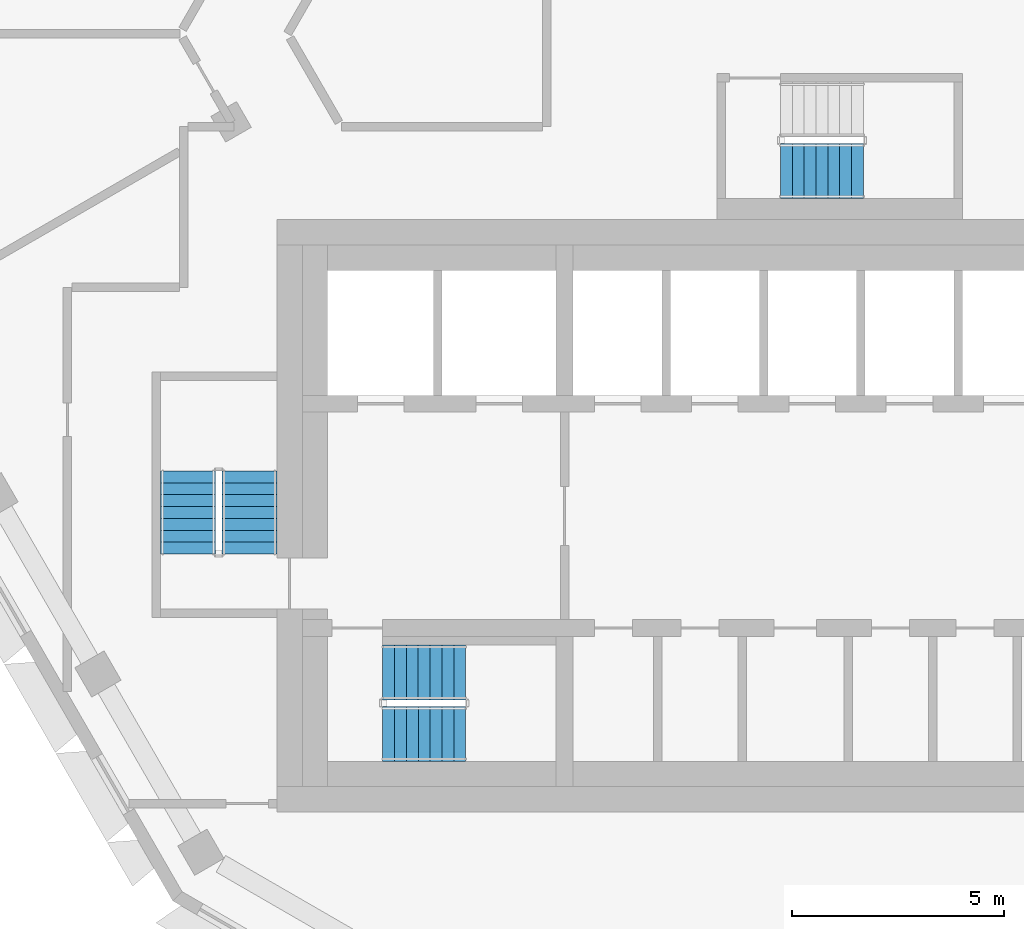
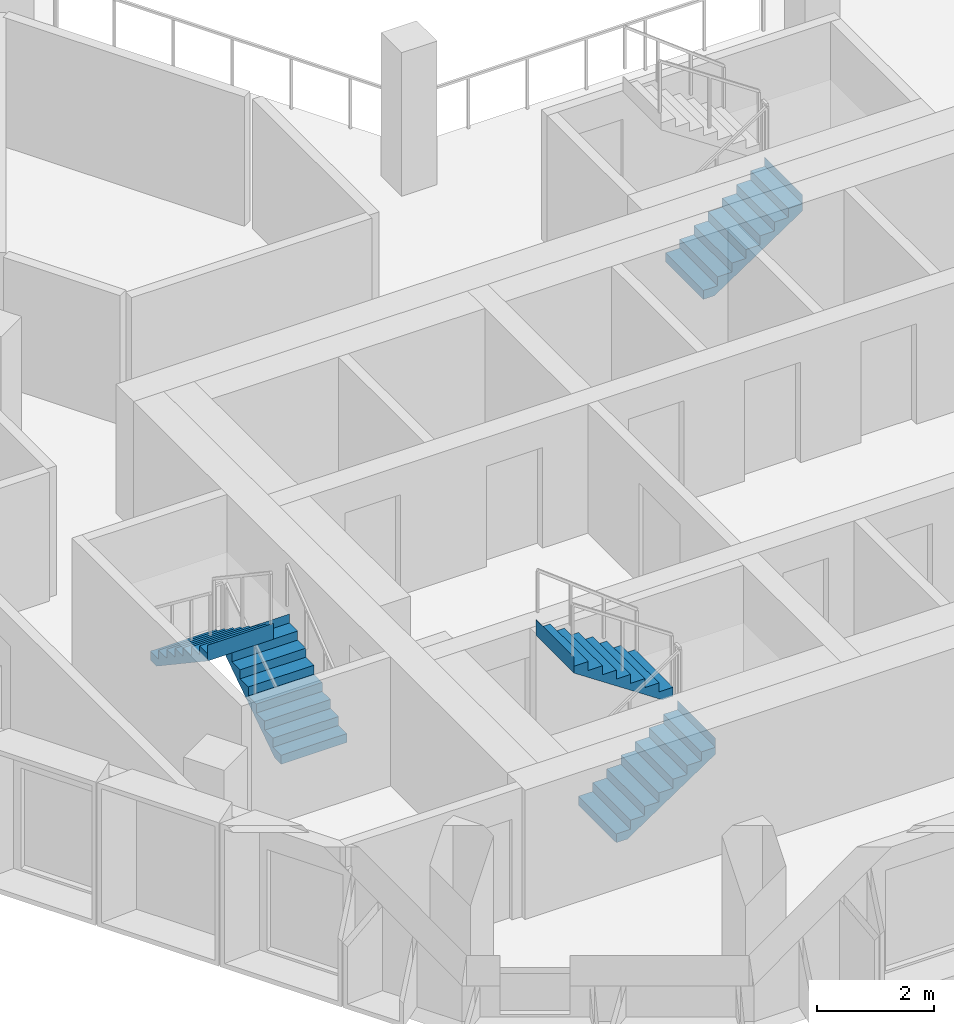
# One storey, part 9 of 15: 5 stair flights, 3 elements without a shape of their own.
"""IFC4 building model written with IfcOpenShell, lengths in metres."""

from ifc_helpers import new_model, si_unit, direction, frame, origin, place, context, subcontext, project, spatial, triangles, material, type_object, element, aggregate, save


model = new_model("IFC4")

# Units and contexts
model_context = context("Model", 3, precision=1e-05, world=origin(), true_north=direction((0.0, 1.0)))
body_context = subcontext(model_context, "Body", "Model", "MODEL_VIEW")
ifc_project = project(units=[si_unit("LENGTHUNIT", "METRE"), si_unit("AREAUNIT", "SQUARE_METRE"), si_unit("VOLUMEUNIT", "CUBIC_METRE"), si_unit("PLANEANGLEUNIT", "RADIAN"), si_unit("MASSUNIT", "GRAM", prefix="KILO")], contexts=[model_context])

# Site, building, storey
site_placement = place(None, origin())
site = spatial("IfcSite", under=ifc_project, at=site_placement, CompositionType="ELEMENT")
building_placement = place(site_placement, origin())
building = spatial("IfcBuilding", under=site, at=building_placement, Name="Beryl Residences", CompositionType="ELEMENT")
storey_placement = place(building_placement, frame((0.0, 0.0, 169.199951171875)))
storey = spatial("IfcBuildingStorey", under=building, at=storey_placement, Name="L51", CompositionType="ELEMENT", Elevation=169.199951171875)

# Stair, stair flights
ifc_material_1 = material(Name="Concrete C40/50", Category="concrete")
stair_type = type_object("IfcStairType", Name="ST1 protected exit stair, half-turn, 1300 mm flights", PredefinedType="HALF_TURN_STAIR", material=ifc_material_1)
stair_1_placement = place(storey_placement, origin())
stair_1 = element("IfcStair", 1, at=stair_1_placement, inside=storey, type_object=stair_type, Name="L51 PROTECTED EXIT STAIR ST-1", PredefinedType="HALF_TURN_STAIR")
ifc_material_2 = material(Name="Concrete C40/50", Category="concrete")
stair_flight_type = type_object("IfcStairFlightType", Name="SF1 stair flight 1300 mm", PredefinedType="STRAIGHT", material=ifc_material_2)
stair_flight_1_placement = place(storey_placement, frame((-10.800048828125, -17.14990234375, 0.0), z_axis=(0.0, 0.0, 1.0), x_axis=(1.0, 0.0, 0.0)))
stair_flight_1 = element("IfcStairFlight", 2, at=stair_flight_1_placement, type_object=stair_flight_type, Name="ST-1 flight 1", NumberOfRisers=8, NumberOfTreads=7, PredefinedType="STRAIGHT", RiserHeight=0.1875, TreadLength=0.28, context=body_context, shape_type="Tessellation", body=[
    triangles([(0.0, -0.64990234375, 0.0), (0.0, -0.324951171875, 0.0), (0.0, 0.0, 0.0), (0.0, 0.324951171875, 0.0), (0.0, 0.64990234375, 0.0), (0.0, -0.64990234375, 0.1875), (0.0, -0.324951171875, 0.1875), (0.0, 0.0, 0.1875), (0.0, 0.324951171875, 0.1875), (0.0, 0.64990234375, 0.1875), (0.280029296875, -0.64990234375, 0.1875), (0.280029296875, -0.324951171875, 0.1875), (0.280029296875, 0.0, 0.1875), (0.280029296875, 0.324951171875, 0.1875), (0.280029296875, 0.64990234375, 0.1875), (0.280029296875, -0.64990234375, 0.375), (0.280029296875, -0.324951171875, 0.375), (0.280029296875, 0.0, 0.375), (0.280029296875, 0.324951171875, 0.375), (0.280029296875, 0.64990234375, 0.375), (0.56005859375, -0.64990234375, 0.375), (0.56005859375, -0.324951171875, 0.375), (0.56005859375, 0.0, 0.375), (0.56005859375, 0.324951171875, 0.375), (0.56005859375, 0.64990234375, 0.375), (0.56005859375, -0.64990234375, 0.5625), (0.56005859375, -0.324951171875, 0.5625), (0.56005859375, 0.0, 0.5625), (0.56005859375, 0.324951171875, 0.5625), (0.56005859375, 0.64990234375, 0.5625), (0.840087890625, -0.64990234375, 0.5625), (0.840087890625, -0.324951171875, 0.5625), (0.840087890625, 0.0, 0.5625), (0.840087890625, 0.324951171875, 0.5625), (0.840087890625, 0.64990234375, 0.5625), (0.840087890625, -0.64990234375, 0.75), (0.840087890625, -0.324951171875, 0.75), (0.840087890625, 0.0, 0.75), (0.840087890625, 0.324951171875, 0.75), (0.840087890625, 0.64990234375, 0.75), (1.1201171875, -0.64990234375, 0.75), (1.1201171875, -0.324951171875, 0.75), (1.1201171875, 0.0, 0.75), (1.1201171875, 0.324951171875, 0.75), (1.1201171875, 0.64990234375, 0.75), (1.1201171875, -0.64990234375, 0.9375), (1.1201171875, -0.324951171875, 0.9375), (1.1201171875, 0.0, 0.9375), (1.1201171875, 0.324951171875, 0.9375), (1.1201171875, 0.64990234375, 0.9375), (1.39990234375, -0.64990234375, 0.9375), (1.39990234375, -0.324951171875, 0.9375), (1.39990234375, 0.0, 0.9375), (1.39990234375, 0.324951171875, 0.9375), (1.39990234375, 0.64990234375, 0.9375), (1.39990234375, -0.64990234375, 1.125), (1.39990234375, -0.324951171875, 1.125), (1.39990234375, 0.0, 1.125), (1.39990234375, 0.324951171875, 1.125), (1.39990234375, 0.64990234375, 1.125), (1.679931640625, -0.64990234375, 1.125), (1.679931640625, -0.324951171875, 1.125), (1.679931640625, 0.0, 1.125), (1.679931640625, 0.324951171875, 1.125), (1.679931640625, 0.64990234375, 1.125), (1.679931640625, -0.64990234375, 1.3125), (1.679931640625, -0.324951171875, 1.3125), (1.679931640625, 0.0, 1.3125), (1.679931640625, 0.324951171875, 1.3125), (1.679931640625, 0.64990234375, 1.3125), (1.9599609375, -0.64990234375, 1.3125), (1.9599609375, -0.324951171875, 1.3125), (1.9599609375, 0.0, 1.3125), (1.9599609375, 0.324951171875, 1.3125), (1.9599609375, 0.64990234375, 1.3125), (1.9599609375, -0.64990234375, 1.5), (1.9599609375, -0.324951171875, 1.5), (1.9599609375, 0.0, 1.5), (1.9599609375, 0.324951171875, 1.5), (1.9599609375, 0.64990234375, 1.5), (1.9609375, -0.64990234375, 1.5), (1.9609375, -0.324951171875, 1.5), (1.9609375, 0.0, 1.5), (1.9609375, 0.324951171875, 1.5), (1.9609375, 0.64990234375, 1.5), (1.9609375, -0.64990234375, 1.16796875), (1.9609375, -0.324951171875, 1.16796875), (1.9609375, 0.0, 1.16796875), (1.9609375, 0.324951171875, 1.16796875), (1.9609375, 0.64990234375, 1.16796875), (0.216796875, -0.64990234375, 0.0), (0.216796875, -0.324951171875, 0.0), (0.216796875, 0.0, 0.0), (0.216796875, 0.324951171875, 0.0), (0.216796875, 0.64990234375, 0.0)], [[1, 6, 7], [1, 7, 2], [2, 7, 8], [2, 8, 3], [3, 8, 9], [3, 9, 4], [4, 9, 10], [4, 10, 5], [6, 11, 12], [6, 12, 7], [7, 12, 13], [7, 13, 8], [8, 13, 14], [8, 14, 9], [9, 14, 15], [9, 15, 10], [11, 16, 17], [11, 17, 12], [12, 17, 18], [12, 18, 13], [13, 18, 19], [13, 19, 14], [14, 19, 20], [14, 20, 15], [16, 21, 22], [16, 22, 17], [17, 22, 23], [17, 23, 18], [18, 23, 24], [18, 24, 19], [19, 24, 25], [19, 25, 20], [21, 26, 27], [21, 27, 22], [22, 27, 28], [22, 28, 23], [23, 28, 29], [23, 29, 24], [24, 29, 30], [24, 30, 25], [26, 31, 32], [26, 32, 27], [27, 32, 33], [27, 33, 28], [28, 33, 34], [28, 34, 29], [29, 34, 35], [29, 35, 30], [31, 36, 37], [31, 37, 32], [32, 37, 38], [32, 38, 33], [33, 38, 39], [33, 39, 34], [34, 39, 40], [34, 40, 35], [36, 41, 42], [36, 42, 37], [37, 42, 43], [37, 43, 38], [38, 43, 44], [38, 44, 39], [39, 44, 45], [39, 45, 40], [41, 46, 47], [41, 47, 42], [42, 47, 48], [42, 48, 43], [43, 48, 49], [43, 49, 44], [44, 49, 50], [44, 50, 45], [46, 51, 52], [46, 52, 47], [47, 52, 53], [47, 53, 48], [48, 53, 54], [48, 54, 49], [49, 54, 55], [49, 55, 50], [51, 56, 57], [51, 57, 52], [52, 57, 58], [52, 58, 53], [53, 58, 59], [53, 59, 54], [54, 59, 60], [54, 60, 55], [56, 61, 62], [56, 62, 57], [57, 62, 63], [57, 63, 58], [58, 63, 64], [58, 64, 59], [59, 64, 65], [59, 65, 60], [61, 66, 67], [61, 67, 62], [62, 67, 68], [62, 68, 63], [63, 68, 69], [63, 69, 64], [64, 69, 70], [64, 70, 65], [66, 71, 72], [66, 72, 67], [67, 72, 73], [67, 73, 68], [68, 73, 74], [68, 74, 69], [69, 74, 75], [69, 75, 70], [71, 76, 77], [71, 77, 72], [72, 77, 78], [72, 78, 73], [73, 78, 79], [73, 79, 74], [74, 79, 80], [74, 80, 75], [76, 81, 82], [76, 82, 77], [77, 82, 83], [77, 83, 78], [78, 83, 84], [78, 84, 79], [79, 84, 85], [79, 85, 80], [81, 86, 87], [81, 87, 82], [82, 87, 88], [82, 88, 83], [83, 88, 89], [83, 89, 84], [84, 89, 90], [84, 90, 85], [86, 91, 92], [86, 92, 87], [87, 92, 93], [87, 93, 88], [88, 93, 94], [88, 94, 89], [89, 94, 95], [89, 95, 90], [91, 1, 2], [91, 2, 92], [92, 2, 3], [92, 3, 93], [93, 3, 4], [93, 4, 94], [94, 4, 5], [94, 5, 95], [1, 91, 86], [5, 90, 95], [86, 81, 76], [90, 80, 85], [86, 76, 71], [90, 75, 80], [86, 71, 66], [90, 70, 75], [86, 66, 61], [90, 65, 70], [61, 56, 51], [65, 55, 60], [86, 61, 51], [90, 55, 65], [51, 46, 41], [55, 45, 50], [86, 51, 41], [90, 45, 55], [41, 36, 31], [45, 35, 40], [86, 41, 31], [90, 35, 45], [31, 26, 21], [35, 25, 30], [86, 31, 21], [90, 25, 35], [21, 16, 11], [25, 15, 20], [86, 21, 11], [90, 15, 25], [1, 86, 11], [5, 15, 90], [11, 6, 1], [15, 5, 10]], closed=True),
])
stair_flight_2_placement = place(storey_placement, frame((-8.840087890625, -15.699951171875, 1.5), z_axis=(0.0, 0.0, 1.0), x_axis=(-1.0, 0.0, 0.0)))
stair_flight_2 = element("IfcStairFlight", 3, at=stair_flight_2_placement, type_object=stair_flight_type, Name="ST-1 flight 2", NumberOfRisers=8, NumberOfTreads=7, PredefinedType="STRAIGHT", RiserHeight=0.1875, TreadLength=0.28, context=body_context, shape_type="Tessellation", body=[
    triangles([(0.0, -0.64990234375, 0.0), (0.0, -0.324951171875, 0.0), (0.0, 0.0, 0.0), (0.0, 0.324951171875, 0.0), (0.0, 0.64990234375, 0.0), (0.0, -0.64990234375, 0.1875), (0.0, -0.324951171875, 0.1875), (0.0, 0.0, 0.1875), (0.0, 0.324951171875, 0.1875), (0.0, 0.64990234375, 0.1875), (0.280029296875, -0.64990234375, 0.1875), (0.280029296875, -0.324951171875, 0.1875), (0.280029296875, 0.0, 0.1875), (0.280029296875, 0.324951171875, 0.1875), (0.280029296875, 0.64990234375, 0.1875), (0.280029296875, -0.64990234375, 0.375), (0.280029296875, -0.324951171875, 0.375), (0.280029296875, 0.0, 0.375), (0.280029296875, 0.324951171875, 0.375), (0.280029296875, 0.64990234375, 0.375), (0.56005859375, -0.64990234375, 0.375), (0.56005859375, -0.324951171875, 0.375), (0.56005859375, 0.0, 0.375), (0.56005859375, 0.324951171875, 0.375), (0.56005859375, 0.64990234375, 0.375), (0.56005859375, -0.64990234375, 0.5625), (0.56005859375, -0.324951171875, 0.5625), (0.56005859375, 0.0, 0.5625), (0.56005859375, 0.324951171875, 0.5625), (0.56005859375, 0.64990234375, 0.5625), (0.840087890625, -0.64990234375, 0.5625), (0.840087890625, -0.324951171875, 0.5625), (0.840087890625, 0.0, 0.5625), (0.840087890625, 0.324951171875, 0.5625), (0.840087890625, 0.64990234375, 0.5625), (0.840087890625, -0.64990234375, 0.75), (0.840087890625, -0.324951171875, 0.75), (0.840087890625, 0.0, 0.75), (0.840087890625, 0.324951171875, 0.75), (0.840087890625, 0.64990234375, 0.75), (1.1201171875, -0.64990234375, 0.75), (1.1201171875, -0.324951171875, 0.75), (1.1201171875, 0.0, 0.75), (1.1201171875, 0.324951171875, 0.75), (1.1201171875, 0.64990234375, 0.75), (1.1201171875, -0.64990234375, 0.9375), (1.1201171875, -0.324951171875, 0.9375), (1.1201171875, 0.0, 0.9375), (1.1201171875, 0.324951171875, 0.9375), (1.1201171875, 0.64990234375, 0.9375), (1.39990234375, -0.64990234375, 0.9375), (1.39990234375, -0.324951171875, 0.9375), (1.39990234375, 0.0, 0.9375), (1.39990234375, 0.324951171875, 0.9375), (1.39990234375, 0.64990234375, 0.9375), (1.39990234375, -0.64990234375, 1.125), (1.39990234375, -0.324951171875, 1.125), (1.39990234375, 0.0, 1.125), (1.39990234375, 0.324951171875, 1.125), (1.39990234375, 0.64990234375, 1.125), (1.679931640625, -0.64990234375, 1.125), (1.679931640625, -0.324951171875, 1.125), (1.679931640625, 0.0, 1.125), (1.679931640625, 0.324951171875, 1.125), (1.679931640625, 0.64990234375, 1.125), (1.679931640625, -0.64990234375, 1.3125), (1.679931640625, -0.324951171875, 1.3125), (1.679931640625, 0.0, 1.3125), (1.679931640625, 0.324951171875, 1.3125), (1.679931640625, 0.64990234375, 1.3125), (1.9599609375, -0.64990234375, 1.3125), (1.9599609375, -0.324951171875, 1.3125), (1.9599609375, 0.0, 1.3125), (1.9599609375, 0.324951171875, 1.3125), (1.9599609375, 0.64990234375, 1.3125), (1.9599609375, -0.64990234375, 1.5), (1.9599609375, -0.324951171875, 1.5), (1.9599609375, 0.0, 1.5), (1.9599609375, 0.324951171875, 1.5), (1.9599609375, 0.64990234375, 1.5), (1.9609375, -0.64990234375, 1.5), (1.9609375, -0.324951171875, 1.5), (1.9609375, 0.0, 1.5), (1.9609375, 0.324951171875, 1.5), (1.9609375, 0.64990234375, 1.5), (1.9609375, -0.64990234375, 1.16796875), (1.9609375, -0.324951171875, 1.16796875), (1.9609375, 0.0, 1.16796875), (1.9609375, 0.324951171875, 1.16796875), (1.9609375, 0.64990234375, 1.16796875), (0.216796875, -0.64990234375, 0.0), (0.216796875, -0.324951171875, 0.0), (0.216796875, 0.0, 0.0), (0.216796875, 0.324951171875, 0.0), (0.216796875, 0.64990234375, 0.0)], [[1, 6, 7], [1, 7, 2], [2, 7, 8], [2, 8, 3], [3, 8, 9], [3, 9, 4], [4, 9, 10], [4, 10, 5], [6, 11, 12], [6, 12, 7], [7, 12, 13], [7, 13, 8], [8, 13, 14], [8, 14, 9], [9, 14, 15], [9, 15, 10], [11, 16, 17], [11, 17, 12], [12, 17, 18], [12, 18, 13], [13, 18, 19], [13, 19, 14], [14, 19, 20], [14, 20, 15], [16, 21, 22], [16, 22, 17], [17, 22, 23], [17, 23, 18], [18, 23, 24], [18, 24, 19], [19, 24, 25], [19, 25, 20], [21, 26, 27], [21, 27, 22], [22, 27, 28], [22, 28, 23], [23, 28, 29], [23, 29, 24], [24, 29, 30], [24, 30, 25], [26, 31, 32], [26, 32, 27], [27, 32, 33], [27, 33, 28], [28, 33, 34], [28, 34, 29], [29, 34, 35], [29, 35, 30], [31, 36, 37], [31, 37, 32], [32, 37, 38], [32, 38, 33], [33, 38, 39], [33, 39, 34], [34, 39, 40], [34, 40, 35], [36, 41, 42], [36, 42, 37], [37, 42, 43], [37, 43, 38], [38, 43, 44], [38, 44, 39], [39, 44, 45], [39, 45, 40], [41, 46, 47], [41, 47, 42], [42, 47, 48], [42, 48, 43], [43, 48, 49], [43, 49, 44], [44, 49, 50], [44, 50, 45], [46, 51, 52], [46, 52, 47], [47, 52, 53], [47, 53, 48], [48, 53, 54], [48, 54, 49], [49, 54, 55], [49, 55, 50], [51, 56, 57], [51, 57, 52], [52, 57, 58], [52, 58, 53], [53, 58, 59], [53, 59, 54], [54, 59, 60], [54, 60, 55], [56, 61, 62], [56, 62, 57], [57, 62, 63], [57, 63, 58], [58, 63, 64], [58, 64, 59], [59, 64, 65], [59, 65, 60], [61, 66, 67], [61, 67, 62], [62, 67, 68], [62, 68, 63], [63, 68, 69], [63, 69, 64], [64, 69, 70], [64, 70, 65], [66, 71, 72], [66, 72, 67], [67, 72, 73], [67, 73, 68], [68, 73, 74], [68, 74, 69], [69, 74, 75], [69, 75, 70], [71, 76, 77], [71, 77, 72], [72, 77, 78], [72, 78, 73], [73, 78, 79], [73, 79, 74], [74, 79, 80], [74, 80, 75], [76, 81, 82], [76, 82, 77], [77, 82, 83], [77, 83, 78], [78, 83, 84], [78, 84, 79], [79, 84, 85], [79, 85, 80], [81, 86, 87], [81, 87, 82], [82, 87, 88], [82, 88, 83], [83, 88, 89], [83, 89, 84], [84, 89, 90], [84, 90, 85], [86, 91, 92], [86, 92, 87], [87, 92, 93], [87, 93, 88], [88, 93, 94], [88, 94, 89], [89, 94, 95], [89, 95, 90], [91, 1, 2], [91, 2, 92], [92, 2, 3], [92, 3, 93], [93, 3, 4], [93, 4, 94], [94, 4, 5], [94, 5, 95], [1, 91, 86], [5, 90, 95], [86, 81, 76], [90, 80, 85], [86, 76, 71], [90, 75, 80], [86, 71, 66], [90, 70, 75], [86, 66, 61], [90, 65, 70], [61, 56, 51], [65, 55, 60], [86, 61, 51], [90, 55, 65], [51, 46, 41], [55, 45, 50], [86, 51, 41], [90, 45, 55], [41, 36, 31], [45, 35, 40], [86, 41, 31], [90, 35, 45], [31, 26, 21], [35, 25, 30], [86, 31, 21], [90, 25, 35], [21, 16, 11], [25, 15, 20], [86, 21, 11], [90, 15, 25], [1, 86, 11], [5, 15, 90], [11, 6, 1], [15, 5, 10]], closed=True),
])
aggregate(stair_1, [stair_flight_1, stair_flight_2])

stair_2_placement = place(storey_placement, origin())
stair_2 = element("IfcStair", 4, at=stair_2_placement, inside=storey, type_object=stair_type, Name="L51 PROTECTED EXIT STAIR ST-2", PredefinedType="HALF_TURN_STAIR")
stair_flight_3_placement = place(storey_placement, frame((-13.949951171875, -12.89990234375, 0.0), z_axis=(0.0, 0.0, 1.0), x_axis=(0.0, 1.0, 0.0)))
stair_flight_3 = element("IfcStairFlight", 5, at=stair_flight_3_placement, type_object=stair_flight_type, Name="ST-2 flight 1", NumberOfRisers=8, NumberOfTreads=7, PredefinedType="STRAIGHT", RiserHeight=0.1875, TreadLength=0.28, context=body_context, shape_type="Tessellation", body=[
    triangles([(0.0, -0.64990234375, 0.0), (0.0, -0.324951171875, 0.0), (0.0, 0.0, 0.0), (0.0, 0.324951171875, 0.0), (0.0, 0.64990234375, 0.0), (0.0, -0.64990234375, 0.1875), (0.0, -0.324951171875, 0.1875), (0.0, 0.0, 0.1875), (0.0, 0.324951171875, 0.1875), (0.0, 0.64990234375, 0.1875), (0.280029296875, -0.64990234375, 0.1875), (0.280029296875, -0.324951171875, 0.1875), (0.280029296875, 0.0, 0.1875), (0.280029296875, 0.324951171875, 0.1875), (0.280029296875, 0.64990234375, 0.1875), (0.280029296875, -0.64990234375, 0.375), (0.280029296875, -0.324951171875, 0.375), (0.280029296875, 0.0, 0.375), (0.280029296875, 0.324951171875, 0.375), (0.280029296875, 0.64990234375, 0.375), (0.56005859375, -0.64990234375, 0.375), (0.56005859375, -0.324951171875, 0.375), (0.56005859375, 0.0, 0.375), (0.56005859375, 0.324951171875, 0.375), (0.56005859375, 0.64990234375, 0.375), (0.56005859375, -0.64990234375, 0.5625), (0.56005859375, -0.324951171875, 0.5625), (0.56005859375, 0.0, 0.5625), (0.56005859375, 0.324951171875, 0.5625), (0.56005859375, 0.64990234375, 0.5625), (0.840087890625, -0.64990234375, 0.5625), (0.840087890625, -0.324951171875, 0.5625), (0.840087890625, 0.0, 0.5625), (0.840087890625, 0.324951171875, 0.5625), (0.840087890625, 0.64990234375, 0.5625), (0.840087890625, -0.64990234375, 0.75), (0.840087890625, -0.324951171875, 0.75), (0.840087890625, 0.0, 0.75), (0.840087890625, 0.324951171875, 0.75), (0.840087890625, 0.64990234375, 0.75), (1.1201171875, -0.64990234375, 0.75), (1.1201171875, -0.324951171875, 0.75), (1.1201171875, 0.0, 0.75), (1.1201171875, 0.324951171875, 0.75), (1.1201171875, 0.64990234375, 0.75), (1.1201171875, -0.64990234375, 0.9375), (1.1201171875, -0.324951171875, 0.9375), (1.1201171875, 0.0, 0.9375), (1.1201171875, 0.324951171875, 0.9375), (1.1201171875, 0.64990234375, 0.9375), (1.39990234375, -0.64990234375, 0.9375), (1.39990234375, -0.324951171875, 0.9375), (1.39990234375, 0.0, 0.9375), (1.39990234375, 0.324951171875, 0.9375), (1.39990234375, 0.64990234375, 0.9375), (1.39990234375, -0.64990234375, 1.125), (1.39990234375, -0.324951171875, 1.125), (1.39990234375, 0.0, 1.125), (1.39990234375, 0.324951171875, 1.125), (1.39990234375, 0.64990234375, 1.125), (1.679931640625, -0.64990234375, 1.125), (1.679931640625, -0.324951171875, 1.125), (1.679931640625, 0.0, 1.125), (1.679931640625, 0.324951171875, 1.125), (1.679931640625, 0.64990234375, 1.125), (1.679931640625, -0.64990234375, 1.3125), (1.679931640625, -0.324951171875, 1.3125), (1.679931640625, 0.0, 1.3125), (1.679931640625, 0.324951171875, 1.3125), (1.679931640625, 0.64990234375, 1.3125), (1.9599609375, -0.64990234375, 1.3125), (1.9599609375, -0.324951171875, 1.3125), (1.9599609375, 0.0, 1.3125), (1.9599609375, 0.324951171875, 1.3125), (1.9599609375, 0.64990234375, 1.3125), (1.9599609375, -0.64990234375, 1.5), (1.9599609375, -0.324951171875, 1.5), (1.9599609375, 0.0, 1.5), (1.9599609375, 0.324951171875, 1.5), (1.9599609375, 0.64990234375, 1.5), (1.9609375, -0.64990234375, 1.5), (1.9609375, -0.324951171875, 1.5), (1.9609375, 0.0, 1.5), (1.9609375, 0.324951171875, 1.5), (1.9609375, 0.64990234375, 1.5), (1.9609375, -0.64990234375, 1.16796875), (1.9609375, -0.324951171875, 1.16796875), (1.9609375, 0.0, 1.16796875), (1.9609375, 0.324951171875, 1.16796875), (1.9609375, 0.64990234375, 1.16796875), (0.216796875, -0.64990234375, 0.0), (0.216796875, -0.324951171875, 0.0), (0.216796875, 0.0, 0.0), (0.216796875, 0.324951171875, 0.0), (0.216796875, 0.64990234375, 0.0)], [[1, 6, 7], [1, 7, 2], [2, 7, 8], [2, 8, 3], [3, 8, 9], [3, 9, 4], [4, 9, 10], [4, 10, 5], [6, 11, 12], [6, 12, 7], [7, 12, 13], [7, 13, 8], [8, 13, 14], [8, 14, 9], [9, 14, 15], [9, 15, 10], [11, 16, 17], [11, 17, 12], [12, 17, 18], [12, 18, 13], [13, 18, 19], [13, 19, 14], [14, 19, 20], [14, 20, 15], [16, 21, 22], [16, 22, 17], [17, 22, 23], [17, 23, 18], [18, 23, 24], [18, 24, 19], [19, 24, 25], [19, 25, 20], [21, 26, 27], [21, 27, 22], [22, 27, 28], [22, 28, 23], [23, 28, 29], [23, 29, 24], [24, 29, 30], [24, 30, 25], [26, 31, 32], [26, 32, 27], [27, 32, 33], [27, 33, 28], [28, 33, 34], [28, 34, 29], [29, 34, 35], [29, 35, 30], [31, 36, 37], [31, 37, 32], [32, 37, 38], [32, 38, 33], [33, 38, 39], [33, 39, 34], [34, 39, 40], [34, 40, 35], [36, 41, 42], [36, 42, 37], [37, 42, 43], [37, 43, 38], [38, 43, 44], [38, 44, 39], [39, 44, 45], [39, 45, 40], [41, 46, 47], [41, 47, 42], [42, 47, 48], [42, 48, 43], [43, 48, 49], [43, 49, 44], [44, 49, 50], [44, 50, 45], [46, 51, 52], [46, 52, 47], [47, 52, 53], [47, 53, 48], [48, 53, 54], [48, 54, 49], [49, 54, 55], [49, 55, 50], [51, 56, 57], [51, 57, 52], [52, 57, 58], [52, 58, 53], [53, 58, 59], [53, 59, 54], [54, 59, 60], [54, 60, 55], [56, 61, 62], [56, 62, 57], [57, 62, 63], [57, 63, 58], [58, 63, 64], [58, 64, 59], [59, 64, 65], [59, 65, 60], [61, 66, 67], [61, 67, 62], [62, 67, 68], [62, 68, 63], [63, 68, 69], [63, 69, 64], [64, 69, 70], [64, 70, 65], [66, 71, 72], [66, 72, 67], [67, 72, 73], [67, 73, 68], [68, 73, 74], [68, 74, 69], [69, 74, 75], [69, 75, 70], [71, 76, 77], [71, 77, 72], [72, 77, 78], [72, 78, 73], [73, 78, 79], [73, 79, 74], [74, 79, 80], [74, 80, 75], [76, 81, 82], [76, 82, 77], [77, 82, 83], [77, 83, 78], [78, 83, 84], [78, 84, 79], [79, 84, 85], [79, 85, 80], [81, 86, 87], [81, 87, 82], [82, 87, 88], [82, 88, 83], [83, 88, 89], [83, 89, 84], [84, 89, 90], [84, 90, 85], [86, 91, 92], [86, 92, 87], [87, 92, 93], [87, 93, 88], [88, 93, 94], [88, 94, 89], [89, 94, 95], [89, 95, 90], [91, 1, 2], [91, 2, 92], [92, 2, 3], [92, 3, 93], [93, 3, 4], [93, 4, 94], [94, 4, 5], [94, 5, 95], [1, 91, 86], [5, 90, 95], [86, 81, 76], [90, 80, 85], [86, 76, 71], [90, 75, 80], [86, 71, 66], [90, 70, 75], [86, 66, 61], [90, 65, 70], [61, 56, 51], [65, 55, 60], [86, 61, 51], [90, 55, 65], [51, 46, 41], [55, 45, 50], [86, 51, 41], [90, 45, 55], [41, 36, 31], [45, 35, 40], [86, 41, 31], [90, 35, 45], [31, 26, 21], [35, 25, 30], [86, 31, 21], [90, 25, 35], [21, 16, 11], [25, 15, 20], [86, 21, 11], [90, 15, 25], [1, 86, 11], [5, 15, 90], [11, 6, 1], [15, 5, 10]], closed=True),
])
stair_flight_4_placement = place(storey_placement, frame((-15.39990234375, -10.93994140625, 1.5), z_axis=(0.0, 0.0, 1.0), x_axis=(0.0, -1.0, 0.0)))
stair_flight_4 = element("IfcStairFlight", 6, at=stair_flight_4_placement, type_object=stair_flight_type, Name="ST-2 flight 2", NumberOfRisers=8, NumberOfTreads=7, PredefinedType="STRAIGHT", RiserHeight=0.1875, TreadLength=0.28, context=body_context, shape_type="Tessellation", body=[
    triangles([(0.0, -0.64990234375, 0.0), (0.0, -0.324951171875, 0.0), (0.0, 0.0, 0.0), (0.0, 0.324951171875, 0.0), (0.0, 0.64990234375, 0.0), (0.0, -0.64990234375, 0.1875), (0.0, -0.324951171875, 0.1875), (0.0, 0.0, 0.1875), (0.0, 0.324951171875, 0.1875), (0.0, 0.64990234375, 0.1875), (0.280029296875, -0.64990234375, 0.1875), (0.280029296875, -0.324951171875, 0.1875), (0.280029296875, 0.0, 0.1875), (0.280029296875, 0.324951171875, 0.1875), (0.280029296875, 0.64990234375, 0.1875), (0.280029296875, -0.64990234375, 0.375), (0.280029296875, -0.324951171875, 0.375), (0.280029296875, 0.0, 0.375), (0.280029296875, 0.324951171875, 0.375), (0.280029296875, 0.64990234375, 0.375), (0.56005859375, -0.64990234375, 0.375), (0.56005859375, -0.324951171875, 0.375), (0.56005859375, 0.0, 0.375), (0.56005859375, 0.324951171875, 0.375), (0.56005859375, 0.64990234375, 0.375), (0.56005859375, -0.64990234375, 0.5625), (0.56005859375, -0.324951171875, 0.5625), (0.56005859375, 0.0, 0.5625), (0.56005859375, 0.324951171875, 0.5625), (0.56005859375, 0.64990234375, 0.5625), (0.840087890625, -0.64990234375, 0.5625), (0.840087890625, -0.324951171875, 0.5625), (0.840087890625, 0.0, 0.5625), (0.840087890625, 0.324951171875, 0.5625), (0.840087890625, 0.64990234375, 0.5625), (0.840087890625, -0.64990234375, 0.75), (0.840087890625, -0.324951171875, 0.75), (0.840087890625, 0.0, 0.75), (0.840087890625, 0.324951171875, 0.75), (0.840087890625, 0.64990234375, 0.75), (1.1201171875, -0.64990234375, 0.75), (1.1201171875, -0.324951171875, 0.75), (1.1201171875, 0.0, 0.75), (1.1201171875, 0.324951171875, 0.75), (1.1201171875, 0.64990234375, 0.75), (1.1201171875, -0.64990234375, 0.9375), (1.1201171875, -0.324951171875, 0.9375), (1.1201171875, 0.0, 0.9375), (1.1201171875, 0.324951171875, 0.9375), (1.1201171875, 0.64990234375, 0.9375), (1.39990234375, -0.64990234375, 0.9375), (1.39990234375, -0.324951171875, 0.9375), (1.39990234375, 0.0, 0.9375), (1.39990234375, 0.324951171875, 0.9375), (1.39990234375, 0.64990234375, 0.9375), (1.39990234375, -0.64990234375, 1.125), (1.39990234375, -0.324951171875, 1.125), (1.39990234375, 0.0, 1.125), (1.39990234375, 0.324951171875, 1.125), (1.39990234375, 0.64990234375, 1.125), (1.679931640625, -0.64990234375, 1.125), (1.679931640625, -0.324951171875, 1.125), (1.679931640625, 0.0, 1.125), (1.679931640625, 0.324951171875, 1.125), (1.679931640625, 0.64990234375, 1.125), (1.679931640625, -0.64990234375, 1.3125), (1.679931640625, -0.324951171875, 1.3125), (1.679931640625, 0.0, 1.3125), (1.679931640625, 0.324951171875, 1.3125), (1.679931640625, 0.64990234375, 1.3125), (1.9599609375, -0.64990234375, 1.3125), (1.9599609375, -0.324951171875, 1.3125), (1.9599609375, 0.0, 1.3125), (1.9599609375, 0.324951171875, 1.3125), (1.9599609375, 0.64990234375, 1.3125), (1.9599609375, -0.64990234375, 1.5), (1.9599609375, -0.324951171875, 1.5), (1.9599609375, 0.0, 1.5), (1.9599609375, 0.324951171875, 1.5), (1.9599609375, 0.64990234375, 1.5), (1.9609375, -0.64990234375, 1.5), (1.9609375, -0.324951171875, 1.5), (1.9609375, 0.0, 1.5), (1.9609375, 0.324951171875, 1.5), (1.9609375, 0.64990234375, 1.5), (1.9609375, -0.64990234375, 1.16796875), (1.9609375, -0.324951171875, 1.16796875), (1.9609375, 0.0, 1.16796875), (1.9609375, 0.324951171875, 1.16796875), (1.9609375, 0.64990234375, 1.16796875), (0.216796875, -0.64990234375, 0.0), (0.216796875, -0.324951171875, 0.0), (0.216796875, 0.0, 0.0), (0.216796875, 0.324951171875, 0.0), (0.216796875, 0.64990234375, 0.0)], [[1, 6, 7], [1, 7, 2], [2, 7, 8], [2, 8, 3], [3, 8, 9], [3, 9, 4], [4, 9, 10], [4, 10, 5], [6, 11, 12], [6, 12, 7], [7, 12, 13], [7, 13, 8], [8, 13, 14], [8, 14, 9], [9, 14, 15], [9, 15, 10], [11, 16, 17], [11, 17, 12], [12, 17, 18], [12, 18, 13], [13, 18, 19], [13, 19, 14], [14, 19, 20], [14, 20, 15], [16, 21, 22], [16, 22, 17], [17, 22, 23], [17, 23, 18], [18, 23, 24], [18, 24, 19], [19, 24, 25], [19, 25, 20], [21, 26, 27], [21, 27, 22], [22, 27, 28], [22, 28, 23], [23, 28, 29], [23, 29, 24], [24, 29, 30], [24, 30, 25], [26, 31, 32], [26, 32, 27], [27, 32, 33], [27, 33, 28], [28, 33, 34], [28, 34, 29], [29, 34, 35], [29, 35, 30], [31, 36, 37], [31, 37, 32], [32, 37, 38], [32, 38, 33], [33, 38, 39], [33, 39, 34], [34, 39, 40], [34, 40, 35], [36, 41, 42], [36, 42, 37], [37, 42, 43], [37, 43, 38], [38, 43, 44], [38, 44, 39], [39, 44, 45], [39, 45, 40], [41, 46, 47], [41, 47, 42], [42, 47, 48], [42, 48, 43], [43, 48, 49], [43, 49, 44], [44, 49, 50], [44, 50, 45], [46, 51, 52], [46, 52, 47], [47, 52, 53], [47, 53, 48], [48, 53, 54], [48, 54, 49], [49, 54, 55], [49, 55, 50], [51, 56, 57], [51, 57, 52], [52, 57, 58], [52, 58, 53], [53, 58, 59], [53, 59, 54], [54, 59, 60], [54, 60, 55], [56, 61, 62], [56, 62, 57], [57, 62, 63], [57, 63, 58], [58, 63, 64], [58, 64, 59], [59, 64, 65], [59, 65, 60], [61, 66, 67], [61, 67, 62], [62, 67, 68], [62, 68, 63], [63, 68, 69], [63, 69, 64], [64, 69, 70], [64, 70, 65], [66, 71, 72], [66, 72, 67], [67, 72, 73], [67, 73, 68], [68, 73, 74], [68, 74, 69], [69, 74, 75], [69, 75, 70], [71, 76, 77], [71, 77, 72], [72, 77, 78], [72, 78, 73], [73, 78, 79], [73, 79, 74], [74, 79, 80], [74, 80, 75], [76, 81, 82], [76, 82, 77], [77, 82, 83], [77, 83, 78], [78, 83, 84], [78, 84, 79], [79, 84, 85], [79, 85, 80], [81, 86, 87], [81, 87, 82], [82, 87, 88], [82, 88, 83], [83, 88, 89], [83, 89, 84], [84, 89, 90], [84, 90, 85], [86, 91, 92], [86, 92, 87], [87, 92, 93], [87, 93, 88], [88, 93, 94], [88, 94, 89], [89, 94, 95], [89, 95, 90], [91, 1, 2], [91, 2, 92], [92, 2, 3], [92, 3, 93], [93, 3, 4], [93, 4, 94], [94, 4, 5], [94, 5, 95], [1, 91, 86], [5, 90, 95], [86, 81, 76], [90, 80, 85], [86, 76, 71], [90, 75, 80], [86, 71, 66], [90, 70, 75], [86, 66, 61], [90, 65, 70], [61, 56, 51], [65, 55, 60], [86, 61, 51], [90, 55, 65], [51, 46, 41], [55, 45, 50], [86, 51, 41], [90, 45, 55], [41, 36, 31], [45, 35, 40], [86, 41, 31], [90, 35, 45], [31, 26, 21], [35, 25, 30], [86, 31, 21], [90, 25, 35], [21, 16, 11], [25, 15, 20], [86, 21, 11], [90, 15, 25], [1, 86, 11], [5, 15, 90], [11, 6, 1], [15, 5, 10]], closed=True),
])
aggregate(stair_2, [stair_flight_3, stair_flight_4])

# Stair, stair flight
stair_3_placement = place(storey_placement, origin())
stair_3 = element("IfcStair", 7, at=stair_3_placement, inside=storey, type_object=stair_type, Name="L51 PROTECTED EXIT STAIR ST-4", PredefinedType="HALF_TURN_STAIR")
stair_flight_5_placement = place(storey_placement, frame((-1.39990234375, -3.85009765625, 0.0), z_axis=(0.0, 0.0, 1.0), x_axis=(1.0, 0.0, 0.0)))
stair_flight_5 = element("IfcStairFlight", 8, at=stair_flight_5_placement, type_object=stair_flight_type, Name="ST-4 flight 1", NumberOfRisers=8, NumberOfTreads=7, PredefinedType="STRAIGHT", RiserHeight=0.1875, TreadLength=0.28, context=body_context, shape_type="Tessellation", body=[
    triangles([(0.0, -0.64990234375, 0.0), (0.0, -0.324951171875, 0.0), (0.0, 0.0, 0.0), (0.0, 0.324951171875, 0.0), (0.0, 0.64990234375, 0.0), (0.0, -0.64990234375, 0.1875), (0.0, -0.324951171875, 0.1875), (0.0, 0.0, 0.1875), (0.0, 0.324951171875, 0.1875), (0.0, 0.64990234375, 0.1875), (0.280029296875, -0.64990234375, 0.1875), (0.280029296875, -0.324951171875, 0.1875), (0.280029296875, 0.0, 0.1875), (0.280029296875, 0.324951171875, 0.1875), (0.280029296875, 0.64990234375, 0.1875), (0.280029296875, -0.64990234375, 0.375), (0.280029296875, -0.324951171875, 0.375), (0.280029296875, 0.0, 0.375), (0.280029296875, 0.324951171875, 0.375), (0.280029296875, 0.64990234375, 0.375), (0.56005859375, -0.64990234375, 0.375), (0.56005859375, -0.324951171875, 0.375), (0.56005859375, 0.0, 0.375), (0.56005859375, 0.324951171875, 0.375), (0.56005859375, 0.64990234375, 0.375), (0.56005859375, -0.64990234375, 0.5625), (0.56005859375, -0.324951171875, 0.5625), (0.56005859375, 0.0, 0.5625), (0.56005859375, 0.324951171875, 0.5625), (0.56005859375, 0.64990234375, 0.5625), (0.840087890625, -0.64990234375, 0.5625), (0.840087890625, -0.324951171875, 0.5625), (0.840087890625, 0.0, 0.5625), (0.840087890625, 0.324951171875, 0.5625), (0.840087890625, 0.64990234375, 0.5625), (0.840087890625, -0.64990234375, 0.75), (0.840087890625, -0.324951171875, 0.75), (0.840087890625, 0.0, 0.75), (0.840087890625, 0.324951171875, 0.75), (0.840087890625, 0.64990234375, 0.75), (1.1201171875, -0.64990234375, 0.75), (1.1201171875, -0.324951171875, 0.75), (1.1201171875, 0.0, 0.75), (1.1201171875, 0.324951171875, 0.75), (1.1201171875, 0.64990234375, 0.75), (1.1201171875, -0.64990234375, 0.9375), (1.1201171875, -0.324951171875, 0.9375), (1.1201171875, 0.0, 0.9375), (1.1201171875, 0.324951171875, 0.9375), (1.1201171875, 0.64990234375, 0.9375), (1.39990234375, -0.64990234375, 0.9375), (1.39990234375, -0.324951171875, 0.9375), (1.39990234375, 0.0, 0.9375), (1.39990234375, 0.324951171875, 0.9375), (1.39990234375, 0.64990234375, 0.9375), (1.39990234375, -0.64990234375, 1.125), (1.39990234375, -0.324951171875, 1.125), (1.39990234375, 0.0, 1.125), (1.39990234375, 0.324951171875, 1.125), (1.39990234375, 0.64990234375, 1.125), (1.679931640625, -0.64990234375, 1.125), (1.679931640625, -0.324951171875, 1.125), (1.679931640625, 0.0, 1.125), (1.679931640625, 0.324951171875, 1.125), (1.679931640625, 0.64990234375, 1.125), (1.679931640625, -0.64990234375, 1.3125), (1.679931640625, -0.324951171875, 1.3125), (1.679931640625, 0.0, 1.3125), (1.679931640625, 0.324951171875, 1.3125), (1.679931640625, 0.64990234375, 1.3125), (1.9599609375, -0.64990234375, 1.3125), (1.9599609375, -0.324951171875, 1.3125), (1.9599609375, 0.0, 1.3125), (1.9599609375, 0.324951171875, 1.3125), (1.9599609375, 0.64990234375, 1.3125), (1.9599609375, -0.64990234375, 1.5), (1.9599609375, -0.324951171875, 1.5), (1.9599609375, 0.0, 1.5), (1.9599609375, 0.324951171875, 1.5), (1.9599609375, 0.64990234375, 1.5), (1.9609375, -0.64990234375, 1.5), (1.9609375, -0.324951171875, 1.5), (1.9609375, 0.0, 1.5), (1.9609375, 0.324951171875, 1.5), (1.9609375, 0.64990234375, 1.5), (1.9609375, -0.64990234375, 1.16796875), (1.9609375, -0.324951171875, 1.16796875), (1.9609375, 0.0, 1.16796875), (1.9609375, 0.324951171875, 1.16796875), (1.9609375, 0.64990234375, 1.16796875), (0.216796875, -0.64990234375, 0.0), (0.216796875, -0.324951171875, 0.0), (0.216796875, 0.0, 0.0), (0.216796875, 0.324951171875, 0.0), (0.216796875, 0.64990234375, 0.0)], [[1, 6, 7], [1, 7, 2], [2, 7, 8], [2, 8, 3], [3, 8, 9], [3, 9, 4], [4, 9, 10], [4, 10, 5], [6, 11, 12], [6, 12, 7], [7, 12, 13], [7, 13, 8], [8, 13, 14], [8, 14, 9], [9, 14, 15], [9, 15, 10], [11, 16, 17], [11, 17, 12], [12, 17, 18], [12, 18, 13], [13, 18, 19], [13, 19, 14], [14, 19, 20], [14, 20, 15], [16, 21, 22], [16, 22, 17], [17, 22, 23], [17, 23, 18], [18, 23, 24], [18, 24, 19], [19, 24, 25], [19, 25, 20], [21, 26, 27], [21, 27, 22], [22, 27, 28], [22, 28, 23], [23, 28, 29], [23, 29, 24], [24, 29, 30], [24, 30, 25], [26, 31, 32], [26, 32, 27], [27, 32, 33], [27, 33, 28], [28, 33, 34], [28, 34, 29], [29, 34, 35], [29, 35, 30], [31, 36, 37], [31, 37, 32], [32, 37, 38], [32, 38, 33], [33, 38, 39], [33, 39, 34], [34, 39, 40], [34, 40, 35], [36, 41, 42], [36, 42, 37], [37, 42, 43], [37, 43, 38], [38, 43, 44], [38, 44, 39], [39, 44, 45], [39, 45, 40], [41, 46, 47], [41, 47, 42], [42, 47, 48], [42, 48, 43], [43, 48, 49], [43, 49, 44], [44, 49, 50], [44, 50, 45], [46, 51, 52], [46, 52, 47], [47, 52, 53], [47, 53, 48], [48, 53, 54], [48, 54, 49], [49, 54, 55], [49, 55, 50], [51, 56, 57], [51, 57, 52], [52, 57, 58], [52, 58, 53], [53, 58, 59], [53, 59, 54], [54, 59, 60], [54, 60, 55], [56, 61, 62], [56, 62, 57], [57, 62, 63], [57, 63, 58], [58, 63, 64], [58, 64, 59], [59, 64, 65], [59, 65, 60], [61, 66, 67], [61, 67, 62], [62, 67, 68], [62, 68, 63], [63, 68, 69], [63, 69, 64], [64, 69, 70], [64, 70, 65], [66, 71, 72], [66, 72, 67], [67, 72, 73], [67, 73, 68], [68, 73, 74], [68, 74, 69], [69, 74, 75], [69, 75, 70], [71, 76, 77], [71, 77, 72], [72, 77, 78], [72, 78, 73], [73, 78, 79], [73, 79, 74], [74, 79, 80], [74, 80, 75], [76, 81, 82], [76, 82, 77], [77, 82, 83], [77, 83, 78], [78, 83, 84], [78, 84, 79], [79, 84, 85], [79, 85, 80], [81, 86, 87], [81, 87, 82], [82, 87, 88], [82, 88, 83], [83, 88, 89], [83, 89, 84], [84, 89, 90], [84, 90, 85], [86, 91, 92], [86, 92, 87], [87, 92, 93], [87, 93, 88], [88, 93, 94], [88, 94, 89], [89, 94, 95], [89, 95, 90], [91, 1, 2], [91, 2, 92], [92, 2, 3], [92, 3, 93], [93, 3, 4], [93, 4, 94], [94, 4, 5], [94, 5, 95], [1, 91, 86], [5, 90, 95], [86, 81, 76], [90, 80, 85], [86, 76, 71], [90, 75, 80], [86, 71, 66], [90, 70, 75], [86, 66, 61], [90, 65, 70], [61, 56, 51], [65, 55, 60], [86, 61, 51], [90, 55, 65], [51, 46, 41], [55, 45, 50], [86, 51, 41], [90, 45, 55], [41, 36, 31], [45, 35, 40], [86, 41, 31], [90, 35, 45], [31, 26, 21], [35, 25, 30], [86, 31, 21], [90, 25, 35], [21, 16, 11], [25, 15, 20], [86, 21, 11], [90, 15, 25], [1, 86, 11], [5, 15, 90], [11, 6, 1], [15, 5, 10]], closed=True),
])
aggregate(stair_3, [stair_flight_5])

save(model, "model.ifc")
